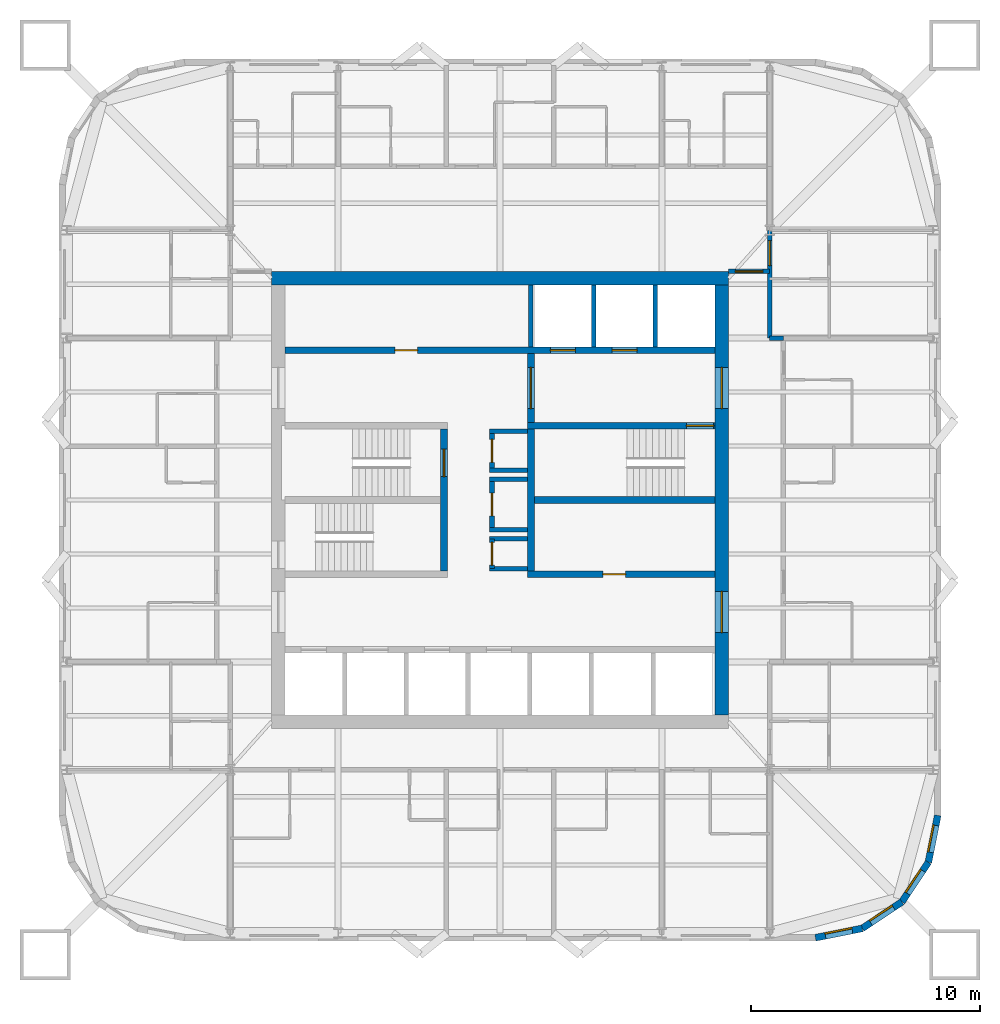
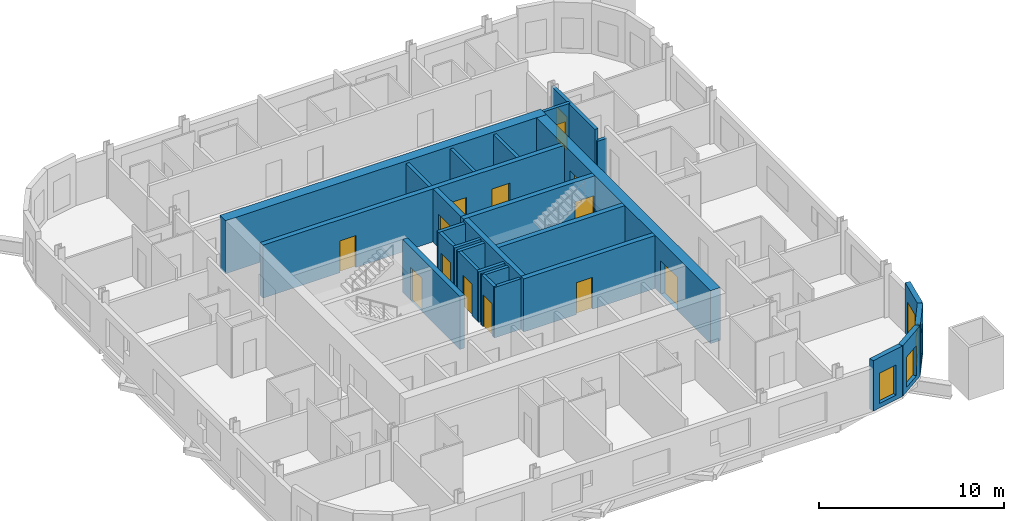
# One storey, part 5 of 9: 27 walls, 14 doors, 4 windows, 18 openings.
"""IFC4 building model written with IfcOpenShell, lengths in metres."""

from ifc_helpers import new_model, si_unit, direction, frame, frame_2d, origin, place, context, subcontext, project, spatial, rectangle, extrude, material, layer, layer_set, type_object, element, fill, save


model = new_model("IFC4")

# Units and contexts
model_context = context("Model", 3, precision=1e-05, world=origin(), true_north=direction((0.0, 1.0)))
body_context = subcontext(model_context, "Body", "Model", "MODEL_VIEW")
ifc_project = project(units=[si_unit("LENGTHUNIT", "METRE"), si_unit("AREAUNIT", "SQUARE_METRE"), si_unit("VOLUMEUNIT", "CUBIC_METRE"), si_unit("PLANEANGLEUNIT", "RADIAN"), si_unit("MASSUNIT", "GRAM", prefix="KILO")], contexts=[model_context])

# Site, building, storey
site_placement = place(None, origin())
site = spatial("IfcSite", under=ifc_project, at=site_placement, CompositionType="ELEMENT")
building_placement = place(site_placement, origin())
building = spatial("IfcBuilding", under=site, at=building_placement, Name="Turquesa Mirador Hotel Tower", CompositionType="ELEMENT")
storey_placement = place(building_placement, frame((0.0, 0.0, 186.300048828125)))
storey = spatial("IfcBuildingStorey", under=building, at=storey_placement, Name="L50", CompositionType="ELEMENT", Elevation=186.300048828125)

# Wall, openings, doors
ifc_material_1 = material(Name="Concrete C50/60", Category="concrete")
ifc_layer_1 = layer(ifc_material_1, 0.300048828125)
ifc_layer_set_1 = layer_set([ifc_layer_1], Name="CORE INNER WALL 300")
wall_type_1 = type_object("IfcWallType", Name="CORE INNER WALL 300", PredefinedType="SHEAR", material=ifc_layer_set_1)
wall_1_placement = place(storey_placement, frame((45.60009765625, 51.550048828125, 0.0), z_axis=(0.0, 0.0, 1.0), x_axis=(1.0, 0.0, 0.0)))
wall_1 = element("IfcWall", 1, at=wall_1_placement, inside=storey, type_object=wall_type_1, Name="Core wall NL", PredefinedType="SHEAR", context=body_context, shape_type="SweptSolid", body=[
    extrude(rectangle(XDim=18.7998046875, YDim=0.300048828125, at=frame_2d((9.39990234375, 0.0))), origin(), (0.0, 0.0, 1.0), 3.5),
])
opening_1_placement = place(wall_1_placement, frame((4.800048828125, 0.0, 0.0)))
opening_1 = element("IfcOpeningElement", 2, at=opening_1_placement, cuts=wall_1, Name="Opening D05", PredefinedType="OPENING", context=body_context, shape_type="SweptSolid", body=[
    extrude(rectangle(XDim=1.0, YDim=2.10009765625, at=frame_2d((0.5, 1.050048828125))), frame((0.0, 0.159912109375, 0.0), z_axis=(0.0, -1.0, 0.0), x_axis=(1.0, 0.0, 0.0)), (0.0, 0.0, 1.0), 0.320068359375),
])
opening_2_placement = place(wall_1_placement, frame((11.60009765625, 0.0, 0.0)))
opening_2 = element("IfcOpeningElement", 3, at=opening_2_placement, cuts=wall_1, Name="Opening LD", PredefinedType="OPENING", context=body_context, shape_type="SweptSolid", body=[
    extrude(rectangle(XDim=1.10009765625, YDim=2.199951171875, at=frame_2d((0.550048828125, 1.10009765625))), frame((0.0, 0.159912109375, 0.0), z_axis=(0.0, -1.0, 0.0), x_axis=(1.0, 0.0, 0.0)), (0.0, 0.0, 1.0), 0.320068359375),
])
opening_3_placement = place(wall_1_placement, frame((14.300048828125, 0.0, 0.0)))
opening_3 = element("IfcOpeningElement", 4, at=opening_3_placement, cuts=wall_1, Name="Opening LD", PredefinedType="OPENING", context=body_context, shape_type="SweptSolid", body=[
    extrude(rectangle(XDim=1.10009765625, YDim=2.199951171875, at=frame_2d((0.550048828125, 1.10009765625))), frame((0.0, 0.159912109375, 0.0), z_axis=(0.0, -1.0, 0.0), x_axis=(1.0, 0.0, 0.0)), (0.0, 0.0, 1.0), 0.320068359375),
])
ifc_material_2 = material(Name="Steel fire door", Category="steel")
door_type_1 = type_object("IfcDoorType", Name="DOOR 1000X2100 SERVICE", OperationType="SINGLE_SWING_LEFT", PredefinedType="DOOR", material=ifc_material_2)
door_1_placement = place(opening_1_placement, origin())
door_1 = element("IfcDoor", 5, at=door_1_placement, inside=storey, type_object=door_type_1, Name="Linen store door", OperationType="SINGLE_SWING_LEFT", OverallHeight=2.10009765625, OverallWidth=1.0, PredefinedType="DOOR", context=body_context, shape_type="SweptSolid", body=[
    extrude(rectangle(XDim=1.0, YDim=2.10009765625, at=frame_2d((0.5, 1.050048828125))), frame((0.0, 0.02490234375, 0.0), z_axis=(0.0, -1.0, 0.0), x_axis=(1.0, 0.0, 0.0)), (0.0, 0.0, 1.0), 0.050048828125),
])
fill(opening_1, door_1)
ifc_material_3 = material(Name="Stainless steel lift landing door", Category="steel")
door_type_2 = type_object("IfcDoorType", Name="LIFT LANDING DOOR 1100X2200", OperationType="SLIDING_TO_LEFT", PredefinedType="DOOR", material=ifc_material_3)
door_2_placement = place(opening_2_placement, origin())
door_2 = element("IfcDoor", 6, at=door_2_placement, inside=storey, type_object=door_type_2, Name="Lift S1 landing door", OperationType="SLIDING_TO_LEFT", OverallHeight=2.199951171875, OverallWidth=1.10009765625, PredefinedType="DOOR", context=body_context, shape_type="SweptSolid", body=[
    extrude(rectangle(XDim=1.10009765625, YDim=2.199951171875, at=frame_2d((0.550048828125, 1.10009765625))), frame((0.0, 0.02490234375, 0.0), z_axis=(0.0, -1.0, 0.0), x_axis=(1.0, 0.0, 0.0)), (0.0, 0.0, 1.0), 0.050048828125),
])
fill(opening_2, door_2)
door_3_placement = place(opening_3_placement, origin())
door_3 = element("IfcDoor", 7, at=door_3_placement, inside=storey, type_object=door_type_2, Name="Lift S2 landing door", OperationType="SLIDING_TO_LEFT", OverallHeight=2.199951171875, OverallWidth=1.10009765625, PredefinedType="DOOR", context=body_context, shape_type="SweptSolid", body=[
    extrude(rectangle(XDim=1.10009765625, YDim=2.199951171875, at=frame_2d((0.550048828125, 1.10009765625))), frame((0.0, 0.02490234375, 0.0), z_axis=(0.0, -1.0, 0.0), x_axis=(1.0, 0.0, 0.0)), (0.0, 0.0, 1.0), 0.050048828125),
])
fill(opening_3, door_3)

# Wall, opening, door
wall_2_placement = place(storey_placement, frame((56.199951171875, 48.25, 0.0), z_axis=(0.0, 0.0, 1.0), x_axis=(1.0, 0.0, 0.0)))
wall_2 = element("IfcWall", 8, at=wall_2_placement, inside=storey, type_object=wall_type_1, Name="Core wall MN-E", PredefinedType="SHEAR", context=body_context, shape_type="SweptSolid", body=[
    extrude(rectangle(XDim=8.199951171875, YDim=0.300048828125, at=frame_2d((4.10009765625, 0.0))), origin(), (0.0, 0.0, 1.0), 3.5),
])
opening_4_placement = place(wall_2_placement, frame((6.949951171875, 0.0, 0.0)))
opening_4 = element("IfcOpeningElement", 9, at=opening_4_placement, cuts=wall_2, Name="Opening D03", PredefinedType="OPENING", context=body_context, shape_type="SweptSolid", body=[
    extrude(rectangle(XDim=1.199951171875, YDim=2.199951171875, at=frame_2d((0.60009765625, 1.10009765625))), frame((0.0, 0.159912109375, 0.0), z_axis=(0.0, -1.0, 0.0), x_axis=(1.0, 0.0, 0.0)), (0.0, 0.0, 1.0), 0.320068359375),
])
ifc_material_4 = material(Name="Steel fire door", Category="steel")
door_type_3 = type_object("IfcDoorType", Name="DOOR 1200X2200 STAIR", OperationType="SINGLE_SWING_LEFT", PredefinedType="DOOR", material=ifc_material_4)
door_4_placement = place(opening_4_placement, origin())
door_4 = element("IfcDoor", 10, at=door_4_placement, inside=storey, type_object=door_type_3, Name="Stair ST3 door", OperationType="SINGLE_SWING_LEFT", OverallHeight=2.199951171875, OverallWidth=1.199951171875, PredefinedType="DOOR", context=body_context, shape_type="SweptSolid", body=[
    extrude(rectangle(XDim=1.199951171875, YDim=2.199951171875, at=frame_2d((0.60009765625, 1.10009765625))), frame((0.0, 0.02490234375, 0.0), z_axis=(0.0, -1.0, 0.0), x_axis=(1.0, 0.0, 0.0)), (0.0, 0.0, 1.0), 0.050048828125),
])
fill(opening_4, door_4)

wall_3_placement = place(storey_placement, frame((56.199951171875, 41.75, 0.0), z_axis=(0.0, 0.0, 1.0), x_axis=(1.0, 0.0, 0.0)))
wall_3 = element("IfcWall", 11, at=wall_3_placement, inside=storey, type_object=wall_type_1, Name="Core wall MS-E", PredefinedType="SHEAR", context=body_context, shape_type="SweptSolid", body=[
    extrude(rectangle(XDim=8.199951171875, YDim=0.300048828125, at=frame_2d((4.10009765625, 0.0))), origin(), (0.0, 0.0, 1.0), 3.5),
])
opening_5_placement = place(wall_3_placement, frame((3.300048828125, 0.0, 0.0)))
opening_5 = element("IfcOpeningElement", 12, at=opening_5_placement, cuts=wall_3, Name="Opening D05", PredefinedType="OPENING", context=body_context, shape_type="SweptSolid", body=[
    extrude(rectangle(XDim=1.0, YDim=2.10009765625, at=frame_2d((0.5, 1.050048828125))), frame((0.0, 0.159912109375, 0.0), z_axis=(0.0, -1.0, 0.0), x_axis=(1.0, 0.0, 0.0)), (0.0, 0.0, 1.0), 0.320068359375),
])
door_5_placement = place(opening_5_placement, origin())
door_5 = element("IfcDoor", 13, at=door_5_placement, inside=storey, type_object=door_type_1, Name="Housekeeping room door", OperationType="SINGLE_SWING_LEFT", OverallHeight=2.10009765625, OverallWidth=1.0, PredefinedType="DOOR", context=body_context, shape_type="SweptSolid", body=[
    extrude(rectangle(XDim=1.0, YDim=2.10009765625, at=frame_2d((0.5, 1.050048828125))), frame((0.0, 0.02490234375, 0.0), z_axis=(0.0, -1.0, 0.0), x_axis=(1.0, 0.0, 0.0)), (0.0, 0.0, 1.0), 0.050048828125),
])
fill(opening_5, door_5)

wall_4_placement = place(storey_placement, frame((52.550048828125, 41.89990234375, 0.0), z_axis=(0.0, 0.0, 1.0), x_axis=(0.0, 1.0, 0.0)))
wall_4 = element("IfcWall", 14, at=wall_4_placement, inside=storey, type_object=wall_type_1, Name="Core wall PW", PredefinedType="SHEAR", context=body_context, shape_type="SweptSolid", body=[
    extrude(rectangle(XDim=6.2001953125, YDim=0.300048828125, at=frame_2d((3.10009765625, 0.0))), origin(), (0.0, 0.0, 1.0), 3.5),
])
opening_6_placement = place(wall_4_placement, frame((4.125, 0.0, 0.0)))
opening_6 = element("IfcOpeningElement", 15, at=opening_6_placement, cuts=wall_4, Name="Opening D03", PredefinedType="OPENING", context=body_context, shape_type="SweptSolid", body=[
    extrude(rectangle(XDim=1.199951171875, YDim=2.199951171875, at=frame_2d((0.60009765625, 1.10009765625))), frame((0.0, 0.159912109375, 0.0), z_axis=(0.0, -1.0, 0.0), x_axis=(1.0, 0.0, 0.0)), (0.0, 0.0, 1.0), 0.320068359375),
])
door_6_placement = place(opening_6_placement, origin())
door_6 = element("IfcDoor", 16, at=door_6_placement, inside=storey, type_object=door_type_3, Name="Stair ST1 door", OperationType="SINGLE_SWING_LEFT", OverallHeight=2.199951171875, OverallWidth=1.199951171875, PredefinedType="DOOR", context=body_context, shape_type="SweptSolid", body=[
    extrude(rectangle(XDim=1.199951171875, YDim=2.199951171875, at=frame_2d((0.60009765625, 1.10009765625))), frame((0.0, 0.02490234375, 0.0), z_axis=(0.0, -1.0, 0.0), x_axis=(1.0, 0.0, 0.0)), (0.0, 0.0, 1.0), 0.050048828125),
])
fill(opening_6, door_6)

wall_5_placement = place(storey_placement, frame((56.35009765625, 41.89990234375, 0.0), z_axis=(0.0, 0.0, 1.0), x_axis=(0.0, 1.0, 0.0)))
wall_5 = element("IfcWall", 17, at=wall_5_placement, inside=storey, type_object=wall_type_1, Name="Core wall PE", PredefinedType="SHEAR", context=body_context, shape_type="SweptSolid", body=[
    extrude(rectangle(XDim=9.5, YDim=0.300048828125, at=frame_2d((4.75, 0.0))), origin(), (0.0, 0.0, 1.0), 3.5),
])
opening_7_placement = place(wall_5_placement, frame((7.10009765625, 0.0, 0.0)))
opening_7 = element("IfcOpeningElement", 18, at=opening_7_placement, cuts=wall_5, Name="Opening D04", PredefinedType="OPENING", context=body_context, shape_type="SweptSolid", body=[
    extrude(rectangle(XDim=1.800048828125, YDim=2.199951171875, at=frame_2d((0.89990234375, 1.10009765625))), frame((0.0, 0.159912109375, 0.0), z_axis=(0.0, -1.0, 0.0), x_axis=(1.0, 0.0, 0.0)), (0.0, 0.0, 1.0), 0.320068359375),
])
ifc_material_5 = material(Name="Steel fire door pair", Category="steel")
door_type_4 = type_object("IfcDoorType", Name="DOOR 1800X2200 PAIR", OperationType="DOUBLE_DOOR_SINGLE_SWING", PredefinedType="DOOR", material=ifc_material_5)
door_7_placement = place(opening_7_placement, origin())
door_7 = element("IfcDoor", 19, at=door_7_placement, inside=storey, type_object=door_type_4, Name="Firefighting lobby inner door", OperationType="DOUBLE_DOOR_SINGLE_SWING", OverallHeight=2.199951171875, OverallWidth=1.800048828125, PredefinedType="DOOR", context=body_context, shape_type="SweptSolid", body=[
    extrude(rectangle(XDim=1.800048828125, YDim=2.199951171875, at=frame_2d((0.89990234375, 1.10009765625))), frame((0.0, 0.02490234375, 0.0), z_axis=(0.0, -1.0, 0.0), x_axis=(1.0, 0.0, 0.0)), (0.0, 0.0, 1.0), 0.050048828125),
])
fill(opening_7, door_7)

# Walls
wall_6_placement = place(storey_placement, frame((56.5, 45.0, 0.0), z_axis=(0.0, 0.0, 1.0), x_axis=(1.0, 0.0, 0.0)))
element("IfcWall", 20, at=wall_6_placement, inside=storey, type_object=wall_type_1, Name="Core wall M0-E", PredefinedType="SHEAR", context=body_context, shape_type="SweptSolid", body=[
    extrude(rectangle(XDim=7.89990234375, YDim=0.300048828125, at=frame_2d((3.949951171875, 0.0))), origin(), (0.0, 0.0, 1.0), 3.5),
])
ifc_material_6 = material(Name="Concrete C50/60", Category="concrete")
ifc_layer_2 = layer(ifc_material_6, 0.60009765625)
ifc_layer_set_2 = layer_set([ifc_layer_2], Name="CORE WALL 600")
wall_type_2 = type_object("IfcWallType", Name="CORE WALL 600", PredefinedType="SHEAR", material=ifc_layer_set_2)
wall_7_placement = place(storey_placement, frame((45.0, 54.699951171875, 0.0), z_axis=(0.0, 0.0, 1.0), x_axis=(1.0, 0.0, 0.0)))
element("IfcWall", 21, at=wall_7_placement, inside=storey, type_object=wall_type_2, Name="Core wall N", PredefinedType="SHEAR", context=body_context, shape_type="SweptSolid", body=[
    extrude(rectangle(XDim=20.0, YDim=0.60009765625, at=frame_2d((10.0, 0.0))), origin(), (0.0, 0.0, 1.0), 3.5),
])

# Wall, openings, doors
wall_8_placement = place(storey_placement, frame((64.699951171875, 35.60009765625, 0.0), z_axis=(0.0, 0.0, 1.0), x_axis=(0.0, 1.0, 0.0)))
wall_8 = element("IfcWall", 22, at=wall_8_placement, inside=storey, type_object=wall_type_2, Name="Core wall E", PredefinedType="SHEAR", context=body_context, shape_type="SweptSolid", body=[
    extrude(rectangle(XDim=18.7998046875, YDim=0.60009765625, at=frame_2d((9.39990234375, 0.0))), origin(), (0.0, 0.0, 1.0), 3.5),
])
opening_8_placement = place(wall_8_placement, frame((13.39990234375, 0.0, 0.0)))
opening_8 = element("IfcOpeningElement", 23, at=opening_8_placement, cuts=wall_8, Name="Opening D04", PredefinedType="OPENING", context=body_context, shape_type="SweptSolid", body=[
    extrude(rectangle(XDim=1.800048828125, YDim=2.199951171875, at=frame_2d((0.89990234375, 1.10009765625))), frame((0.0, 0.31005859375, 0.0), z_axis=(0.0, -1.0, 0.0), x_axis=(1.0, 0.0, 0.0)), (0.0, 0.0, 1.0), 0.6201171875),
])
opening_9_placement = place(wall_8_placement, frame((3.60009765625, 0.0, 0.0)))
opening_9 = element("IfcOpeningElement", 24, at=opening_9_placement, cuts=wall_8, Name="Opening D04", PredefinedType="OPENING", context=body_context, shape_type="SweptSolid", body=[
    extrude(rectangle(XDim=1.800048828125, YDim=2.199951171875, at=frame_2d((0.89990234375, 1.10009765625))), frame((0.0, 0.31005859375, 0.0), z_axis=(0.0, -1.0, 0.0), x_axis=(1.0, 0.0, 0.0)), (0.0, 0.0, 1.0), 0.6201171875),
])
door_8_placement = place(opening_8_placement, origin())
door_8 = element("IfcDoor", 25, at=door_8_placement, inside=storey, type_object=door_type_4, Name="Firefighting lobby door", OperationType="DOUBLE_DOOR_SINGLE_SWING", OverallHeight=2.199951171875, OverallWidth=1.800048828125, PredefinedType="DOOR", context=body_context, shape_type="SweptSolid", body=[
    extrude(rectangle(XDim=1.800048828125, YDim=2.199951171875, at=frame_2d((0.89990234375, 1.10009765625))), frame((0.0, 0.02490234375, 0.0), z_axis=(0.0, -1.0, 0.0), x_axis=(1.0, 0.0, 0.0)), (0.0, 0.0, 1.0), 0.050048828125),
])
fill(opening_8, door_8)
door_9_placement = place(opening_9_placement, origin())
door_9 = element("IfcDoor", 26, at=door_9_placement, inside=storey, type_object=door_type_4, Name="South lift lobby door", OperationType="DOUBLE_DOOR_SINGLE_SWING", OverallHeight=2.199951171875, OverallWidth=1.800048828125, PredefinedType="DOOR", context=body_context, shape_type="SweptSolid", body=[
    extrude(rectangle(XDim=1.800048828125, YDim=2.199951171875, at=frame_2d((0.89990234375, 1.10009765625))), frame((0.0, 0.02490234375, 0.0), z_axis=(0.0, -1.0, 0.0), x_axis=(1.0, 0.0, 0.0)), (0.0, 0.0, 1.0), 0.050048828125),
])
fill(opening_9, door_9)

# Wall, opening, door
ifc_material_7 = material(Name="Fire-rated gypsum board on steel studs", Category="steel")
ifc_layer_3 = layer(ifc_material_7, 0.199951171875)
ifc_layer_set_3 = layer_set([ifc_layer_3], Name="CORRIDOR WALL 200")
wall_type_3 = type_object("IfcWallType", Name="CORRIDOR WALL 200", PredefinedType="PARTITIONING", material=ifc_layer_set_3)
wall_9_placement = place(storey_placement, frame((65.0, 55.0, 0.0), z_axis=(0.0, 0.0, 1.0), x_axis=(1.0, 0.0, 0.0)))
wall_9 = element("IfcWall", 27, at=wall_9_placement, inside=storey, type_object=wall_type_3, Name="Partition L50 020", PredefinedType="PARTITIONING", context=body_context, shape_type="SweptSolid", body=[
    extrude(rectangle(XDim=1.800048828125, YDim=0.199951171875, at=frame_2d((0.89990234375, 0.0))), origin(), (0.0, 0.0, 1.0), 3.329833984375),
])
opening_10_placement = place(wall_9_placement, frame((0.300048828125, 0.0, 0.0)))
opening_10 = element("IfcOpeningElement", 28, at=opening_10_placement, cuts=wall_9, Name="Opening D19", PredefinedType="OPENING", context=body_context, shape_type="SweptSolid", body=[
    extrude(rectangle(XDim=1.199951171875, YDim=2.199951171875, at=frame_2d((0.60009765625, 1.10009765625))), frame((0.0, 0.10986328125, 0.0), z_axis=(0.0, -1.0, 0.0), x_axis=(1.0, 0.0, 0.0)), (0.0, 0.0, 1.0), 0.219970703125),
])
ifc_material_8 = material(Name="Steel glazed fire door", Category="steel")
door_type_5 = type_object("IfcDoorType", Name="DOOR 1200X2200 FIRE DOOR GLAZED", OperationType="SINGLE_SWING_LEFT", PredefinedType="DOOR", material=ifc_material_8)
door_10_placement = place(opening_10_placement, origin())
door_10 = element("IfcDoor", 29, at=door_10_placement, inside=storey, type_object=door_type_5, Name="Door L50-C03-1", OperationType="SINGLE_SWING_LEFT", OverallHeight=2.199951171875, OverallWidth=1.199951171875, PredefinedType="DOOR", context=body_context, shape_type="SweptSolid", body=[
    extrude(rectangle(XDim=1.199951171875, YDim=2.199951171875, at=frame_2d((0.60009765625, 1.10009765625))), frame((0.0, 0.02490234375, 0.0), z_axis=(0.0, -1.0, 0.0), x_axis=(1.0, 0.0, 0.0)), (0.0, 0.0, 1.0), 0.050048828125),
])
fill(opening_10, door_10)

# Wall
wall_10_placement = place(storey_placement, frame((66.800048828125, 52.080078125, 0.0), z_axis=(0.0, 0.0, 1.0), x_axis=(1.0, 0.0, 0.0)))
element("IfcWall", 30, at=wall_10_placement, inside=storey, type_object=wall_type_3, Name="Partition L50 036", PredefinedType="PARTITIONING", context=body_context, shape_type="SweptSolid", body=[
    extrude(rectangle(XDim=0.599853515625, YDim=0.199951171875, at=frame_2d((0.2998046875, 0.0))), origin(), (0.0, 0.0, 1.0), 2.572998046875),
])

# Wall, opening, door
wall_11_placement = place(storey_placement, frame((66.800048828125, 52.080078125, 0.0), z_axis=(0.0, 0.0, 1.0), x_axis=(0.0, 1.0, 0.0)))
wall_11 = element("IfcWall", 31, at=wall_11_placement, inside=storey, type_object=wall_type_3, Name="Partition L50 064", PredefinedType="PARTITIONING", context=body_context, shape_type="SweptSolid", body=[
    extrude(rectangle(XDim=4.699951171875, YDim=0.199951171875, at=frame_2d((2.35009765625, 0.0))), origin(), (0.0, 0.0, 1.0), 3.329833984375),
])
opening_11_placement = place(wall_11_placement, frame((3.169921875, 0.0, 0.0)))
opening_11 = element("IfcOpeningElement", 32, at=opening_11_placement, cuts=wall_11, Name="Opening D15", PredefinedType="OPENING", context=body_context, shape_type="SweptSolid", body=[
    extrude(rectangle(XDim=1.10009765625, YDim=2.199951171875, at=frame_2d((0.550048828125, 1.10009765625))), frame((0.0, 0.10986328125, 0.0), z_axis=(0.0, -1.0, 0.0), x_axis=(1.0, 0.0, 0.0)), (0.0, 0.0, 1.0), 0.219970703125),
])
ifc_material_9 = material(Name="Timber veneered fire door", Category="wood")
door_type_6 = type_object("IfcDoorType", Name="DOOR 1100X2200 SUITE ENTRY", OperationType="SINGLE_SWING_LEFT", PredefinedType="DOOR", material=ifc_material_9)
door_11_placement = place(opening_11_placement, origin())
door_11 = element("IfcDoor", 33, at=door_11_placement, inside=storey, type_object=door_type_6, Name="Door 5014H", OperationType="SINGLE_SWING_LEFT", OverallHeight=2.199951171875, OverallWidth=1.10009765625, PredefinedType="DOOR", context=body_context, shape_type="SweptSolid", body=[
    extrude(rectangle(XDim=1.10009765625, YDim=2.199951171875, at=frame_2d((0.550048828125, 1.10009765625))), frame((0.0, 0.02490234375, 0.0), z_axis=(0.0, -1.0, 0.0), x_axis=(1.0, 0.0, 0.0)), (0.0, 0.0, 1.0), 0.050048828125),
])
fill(opening_11, door_11)

# Wall, opening, window
ifc_material_10 = material(Name="Limestone cladding on concrete block", Category="masonry")
ifc_layer_4 = layer(ifc_material_10, 0.300048828125)
ifc_layer_set_4 = layer_set([ifc_layer_4], Name="FACADE WALL 300 STONE SCREEN")
wall_type_4 = type_object("IfcWallType", Name="FACADE WALL 300 STONE SCREEN", PredefinedType="SOLIDWALL", material=ifc_layer_set_4)
wall_12_placement = place(storey_placement, frame((68.800048828125, 25.85009765625, 0.0), z_axis=(0.0, 0.0, 1.0), x_axis=(0.980787050784, 0.195081421501, 0.0)))
wall_12 = element("IfcWall", 34, at=wall_12_placement, inside=storey, type_object=wall_type_4, Name="Facade wall L50 00", PredefinedType="SOLIDWALL", context=body_context, shape_type="SweptSolid", body=[
    extrude(rectangle(XDim=2.08740234375, YDim=0.300048828125, at=frame_2d((1.043701171875, 0.0))), origin(), (0.0, 0.0, 1.0), 3.329833984375),
])
opening_12_placement = place(wall_12_placement, frame((0.443603515625, 0.0, 0.300048828125)))
opening_12 = element("IfcOpeningElement", 35, at=opening_12_placement, cuts=wall_12, Name="Opening WN4", PredefinedType="OPENING", context=body_context, shape_type="SweptSolid", body=[
    extrude(rectangle(XDim=1.199951171875, YDim=2.0, at=frame_2d((0.60009765625, 1.0))), frame((0.0, 0.159912109375, 0.0), z_axis=(0.0, -1.0, 0.0), x_axis=(1.0, 0.0, 0.0)), (0.0, 0.0, 1.0), 0.320068359375),
])
ifc_material_11 = material(Name="Ceramic-fritted laminated glass", Category="glass")
window_type = type_object("IfcWindowType", Name="FRITTED CORNER WINDOW 1200X2000", PartitioningType="DOUBLE_PANEL_HORIZONTAL", PredefinedType="WINDOW", material=ifc_material_11)
window_1_placement = place(opening_12_placement, origin())
window_1 = element("IfcWindow", 36, at=window_1_placement, inside=storey, type_object=window_type, Name="Window L50", OverallHeight=2.0, OverallWidth=1.199951171875, PartitioningType="SINGLE_PANEL", PredefinedType="WINDOW", context=body_context, shape_type="SweptSolid", body=[
    extrude(rectangle(XDim=1.199951171875, YDim=2.0, at=frame_2d((0.60009765625, 1.0))), frame((0.0, 0.130126953125, 0.0), z_axis=(0.0, -1.0, 0.0), x_axis=(1.0, 0.0, 0.0)), (0.0, 0.0, 1.0), 0.06005859375),
])
fill(opening_12, window_1)

wall_13_placement = place(storey_placement, frame((70.847412109375, 26.25732421875, 0.0), z_axis=(0.0, 0.0, 1.0), x_axis=(0.831474039234, 0.555563607591, 0.0)))
wall_13 = element("IfcWall", 37, at=wall_13_placement, inside=storey, type_object=wall_type_4, Name="Facade wall L50 01", PredefinedType="SOLIDWALL", context=body_context, shape_type="SweptSolid", body=[
    extrude(rectangle(XDim=2.08740234375, YDim=0.300048828125, at=frame_2d((1.043701171875, 0.0))), origin(), (0.0, 0.0, 1.0), 3.329833984375),
])
opening_13_placement = place(wall_13_placement, frame((0.443603515625, 0.0, 0.300048828125)))
opening_13 = element("IfcOpeningElement", 38, at=opening_13_placement, cuts=wall_13, Name="Opening WN4", PredefinedType="OPENING", context=body_context, shape_type="SweptSolid", body=[
    extrude(rectangle(XDim=1.199951171875, YDim=2.0, at=frame_2d((0.60009765625, 1.0))), frame((0.0, 0.159912109375, 0.0), z_axis=(0.0, -1.0, 0.0), x_axis=(1.0, 0.0, 0.0)), (0.0, 0.0, 1.0), 0.320068359375),
])
window_2_placement = place(opening_13_placement, origin())
window_2 = element("IfcWindow", 39, at=window_2_placement, inside=storey, type_object=window_type, Name="Window L50", OverallHeight=2.0, OverallWidth=1.199951171875, PartitioningType="SINGLE_PANEL", PredefinedType="WINDOW", context=body_context, shape_type="SweptSolid", body=[
    extrude(rectangle(XDim=1.199951171875, YDim=2.0, at=frame_2d((0.60009765625, 1.0))), frame((0.0, 0.130126953125, 0.0), z_axis=(0.0, -1.0, 0.0), x_axis=(1.0, 0.0, 0.0)), (0.0, 0.0, 1.0), 0.06005859375),
])
fill(opening_13, window_2)

wall_14_placement = place(storey_placement, frame((72.5830078125, 27.4169921875, 0.0), z_axis=(0.0, 0.0, 1.0), x_axis=(0.555563607591, 0.831474039234, 0.0)))
wall_14 = element("IfcWall", 40, at=wall_14_placement, inside=storey, type_object=wall_type_4, Name="Facade wall L50 02", PredefinedType="SOLIDWALL", context=body_context, shape_type="SweptSolid", body=[
    extrude(rectangle(XDim=2.08740234375, YDim=0.300048828125, at=frame_2d((1.043701171875, 0.0))), origin(), (0.0, 0.0, 1.0), 3.329833984375),
])
opening_14_placement = place(wall_14_placement, frame((0.443603515625, 0.0, 0.300048828125)))
opening_14 = element("IfcOpeningElement", 41, at=opening_14_placement, cuts=wall_14, Name="Opening WN4", PredefinedType="OPENING", context=body_context, shape_type="SweptSolid", body=[
    extrude(rectangle(XDim=1.199951171875, YDim=2.0, at=frame_2d((0.60009765625, 1.0))), frame((0.0, 0.159912109375, 0.0), z_axis=(0.0, -1.0, 0.0), x_axis=(1.0, 0.0, 0.0)), (0.0, 0.0, 1.0), 0.320068359375),
])
window_3_placement = place(opening_14_placement, origin())
window_3 = element("IfcWindow", 42, at=window_3_placement, inside=storey, type_object=window_type, Name="Window L50", OverallHeight=2.0, OverallWidth=1.199951171875, PartitioningType="SINGLE_PANEL", PredefinedType="WINDOW", context=body_context, shape_type="SweptSolid", body=[
    extrude(rectangle(XDim=1.199951171875, YDim=2.0, at=frame_2d((0.60009765625, 1.0))), frame((0.0, 0.130126953125, 0.0), z_axis=(0.0, -1.0, 0.0), x_axis=(1.0, 0.0, 0.0)), (0.0, 0.0, 1.0), 0.06005859375),
])
fill(opening_14, window_3)

wall_15_placement = place(storey_placement, frame((73.74267578125, 29.152587890625, 0.0), z_axis=(0.0, 0.0, 1.0), x_axis=(0.195081421501, 0.980787050784, 0.0)))
wall_15 = element("IfcWall", 43, at=wall_15_placement, inside=storey, type_object=wall_type_4, Name="Facade wall L50 03", PredefinedType="SOLIDWALL", context=body_context, shape_type="SweptSolid", body=[
    extrude(rectangle(XDim=2.08740234375, YDim=0.300048828125, at=frame_2d((1.043701171875, 0.0))), origin(), (0.0, 0.0, 1.0), 3.329833984375),
])
opening_15_placement = place(wall_15_placement, frame((0.443603515625, 0.0, 0.300048828125)))
opening_15 = element("IfcOpeningElement", 44, at=opening_15_placement, cuts=wall_15, Name="Opening WN4", PredefinedType="OPENING", context=body_context, shape_type="SweptSolid", body=[
    extrude(rectangle(XDim=1.199951171875, YDim=2.0, at=frame_2d((0.60009765625, 1.0))), frame((0.0, 0.159912109375, 0.0), z_axis=(0.0, -1.0, 0.0), x_axis=(1.0, 0.0, 0.0)), (0.0, 0.0, 1.0), 0.320068359375),
])
window_4_placement = place(opening_15_placement, origin())
window_4 = element("IfcWindow", 45, at=window_4_placement, inside=storey, type_object=window_type, Name="Window L50", OverallHeight=2.0, OverallWidth=1.199951171875, PartitioningType="SINGLE_PANEL", PredefinedType="WINDOW", context=body_context, shape_type="SweptSolid", body=[
    extrude(rectangle(XDim=1.199951171875, YDim=2.0, at=frame_2d((0.60009765625, 1.0))), frame((0.0, 0.130126953125, 0.0), z_axis=(0.0, -1.0, 0.0), x_axis=(1.0, 0.0, 0.0)), (0.0, 0.0, 1.0), 0.06005859375),
])
fill(opening_15, window_4)

# Wall, opening, door
ifc_material_12 = material(Name="Fire-rated gypsum board on steel studs", Category="steel")
ifc_layer_5 = layer(ifc_material_12, 0.199951171875)
ifc_layer_set_5 = layer_set([ifc_layer_5], Name="FIRE PARTITION 200")
wall_type_5 = type_object("IfcWallType", Name="FIRE PARTITION 200", PredefinedType="PARTITIONING", material=ifc_layer_set_5)
wall_16_placement = place(storey_placement, frame((54.64990234375, 42.0, 0.0), z_axis=(0.0, 0.0, 1.0), x_axis=(0.0, 1.0, 0.0)))
wall_16 = element("IfcWall", 46, at=wall_16_placement, inside=storey, type_object=wall_type_5, Name="Partition L50 CM W", PredefinedType="PARTITIONING", context=body_context, shape_type="SweptSolid", body=[
    extrude(rectangle(XDim=1.300048828125, YDim=0.199951171875, at=frame_2d((0.64990234375, 0.0))), origin(), (0.0, 0.0, 1.0), 3.329833984375),
])
opening_16_placement = place(wall_16_placement, frame((0.14990234375, 0.0, 0.0)))
opening_16 = element("IfcOpeningElement", 47, at=opening_16_placement, cuts=wall_16, Name="Opening D05", PredefinedType="OPENING", context=body_context, shape_type="SweptSolid", body=[
    extrude(rectangle(XDim=1.0, YDim=2.10009765625, at=frame_2d((0.5, 1.050048828125))), frame((0.0, 0.10986328125, 0.0), z_axis=(0.0, -1.0, 0.0), x_axis=(1.0, 0.0, 0.0)), (0.0, 0.0, 1.0), 0.219970703125),
])
door_12_placement = place(opening_16_placement, origin())
door_12 = element("IfcDoor", 48, at=door_12_placement, inside=storey, type_object=door_type_1, Name="Comms room door", OperationType="SINGLE_SWING_LEFT", OverallHeight=2.10009765625, OverallWidth=1.0, PredefinedType="DOOR", context=body_context, shape_type="SweptSolid", body=[
    extrude(rectangle(XDim=1.0, YDim=2.10009765625, at=frame_2d((0.5, 1.050048828125))), frame((0.0, 0.02490234375, 0.0), z_axis=(0.0, -1.0, 0.0), x_axis=(1.0, 0.0, 0.0)), (0.0, 0.0, 1.0), 0.050048828125),
])
fill(opening_16, door_12)

# Walls
for number, where, z_axis, x_axis, name in (
    (49, (54.550048828125, 42.0, 0.0), (0.0, 0.0, 1.0), (1.0, 0.0, 0.0), "Partition L50 CM S"),
    (50, (54.550048828125, 43.300048828125, 0.0), (0.0, 0.0, 1.0), (1.0, 0.0, 0.0), "Partition L50 CM N"),
):
    element("IfcWall", number, at=place(storey_placement, frame(where, z_axis=z_axis, x_axis=x_axis)), inside=storey, type_object=wall_type_5, Name=name, PredefinedType="PARTITIONING", context=body_context, shape_type="SweptSolid", body=[
        extrude(rectangle(XDim=1.64990234375, YDim=0.199951171875, at=frame_2d((0.824951171875, 0.0))), origin(), (0.0, 0.0, 1.0), 3.329833984375),
    ])

# Wall, opening, door
wall_17_placement = place(storey_placement, frame((54.64990234375, 43.699951171875, 0.0), z_axis=(0.0, 0.0, 1.0), x_axis=(0.0, 1.0, 0.0)))
wall_17 = element("IfcWall", 51, at=wall_17_placement, inside=storey, type_object=wall_type_5, Name="Partition L50 VD W", PredefinedType="PARTITIONING", context=body_context, shape_type="SweptSolid", body=[
    extrude(rectangle(XDim=2.199951171875, YDim=0.199951171875, at=frame_2d((1.10009765625, 0.0))), origin(), (0.0, 0.0, 1.0), 3.329833984375),
])
opening_17_placement = place(wall_17_placement, frame((0.60009765625, 0.0, 0.0)))
opening_17 = element("IfcOpeningElement", 52, at=opening_17_placement, cuts=wall_17, Name="Opening D05", PredefinedType="OPENING", context=body_context, shape_type="SweptSolid", body=[
    extrude(rectangle(XDim=1.0, YDim=2.10009765625, at=frame_2d((0.5, 1.050048828125))), frame((0.0, 0.10986328125, 0.0), z_axis=(0.0, -1.0, 0.0), x_axis=(1.0, 0.0, 0.0)), (0.0, 0.0, 1.0), 0.219970703125),
])
door_13_placement = place(opening_17_placement, origin())
door_13 = element("IfcDoor", 53, at=door_13_placement, inside=storey, type_object=door_type_1, Name="Ice and vending room door", OperationType="SINGLE_SWING_LEFT", OverallHeight=2.10009765625, OverallWidth=1.0, PredefinedType="DOOR", context=body_context, shape_type="SweptSolid", body=[
    extrude(rectangle(XDim=1.0, YDim=2.10009765625, at=frame_2d((0.5, 1.050048828125))), frame((0.0, 0.02490234375, 0.0), z_axis=(0.0, -1.0, 0.0), x_axis=(1.0, 0.0, 0.0)), (0.0, 0.0, 1.0), 0.050048828125),
])
fill(opening_17, door_13)

# Walls
for number, where, z_axis, x_axis, name in (
    (54, (54.550048828125, 43.699951171875, 0.0), (0.0, 0.0, 1.0), (1.0, 0.0, 0.0), "Partition L50 VD S"),
    (55, (54.550048828125, 45.89990234375, 0.0), (0.0, 0.0, 1.0), (1.0, 0.0, 0.0), "Partition L50 VD N"),
):
    element("IfcWall", number, at=place(storey_placement, frame(where, z_axis=z_axis, x_axis=x_axis)), inside=storey, type_object=wall_type_5, Name=name, PredefinedType="PARTITIONING", context=body_context, shape_type="SweptSolid", body=[
        extrude(rectangle(XDim=1.64990234375, YDim=0.199951171875, at=frame_2d((0.824951171875, 0.0))), origin(), (0.0, 0.0, 1.0), 3.329833984375),
    ])

# Wall, opening, door
wall_18_placement = place(storey_placement, frame((54.64990234375, 46.300048828125, 0.0), z_axis=(0.0, 0.0, 1.0), x_axis=(0.0, 1.0, 0.0)))
wall_18 = element("IfcWall", 56, at=wall_18_placement, inside=storey, type_object=wall_type_5, Name="Partition L50 CL W", PredefinedType="PARTITIONING", context=body_context, shape_type="SweptSolid", body=[
    extrude(rectangle(XDim=1.699951171875, YDim=0.199951171875, at=frame_2d((0.85009765625, 0.0))), origin(), (0.0, 0.0, 1.0), 3.329833984375),
])
opening_18_placement = place(wall_18_placement, frame((0.35009765625, 0.0, 0.0)))
opening_18 = element("IfcOpeningElement", 57, at=opening_18_placement, cuts=wall_18, Name="Opening D05", PredefinedType="OPENING", context=body_context, shape_type="SweptSolid", body=[
    extrude(rectangle(XDim=1.0, YDim=2.10009765625, at=frame_2d((0.5, 1.050048828125))), frame((0.0, 0.10986328125, 0.0), z_axis=(0.0, -1.0, 0.0), x_axis=(1.0, 0.0, 0.0)), (0.0, 0.0, 1.0), 0.219970703125),
])
door_14_placement = place(opening_18_placement, origin())
door_14 = element("IfcDoor", 58, at=door_14_placement, inside=storey, type_object=door_type_1, Name="Cleaner's cupboard door", OperationType="SINGLE_SWING_LEFT", OverallHeight=2.10009765625, OverallWidth=1.0, PredefinedType="DOOR", context=body_context, shape_type="SweptSolid", body=[
    extrude(rectangle(XDim=1.0, YDim=2.10009765625, at=frame_2d((0.5, 1.050048828125))), frame((0.0, 0.02490234375, 0.0), z_axis=(0.0, -1.0, 0.0), x_axis=(1.0, 0.0, 0.0)), (0.0, 0.0, 1.0), 0.050048828125),
])
fill(opening_18, door_14)

# Walls
for number, where, z_axis, x_axis, name in (
    (59, (54.550048828125, 46.300048828125, 0.0), (0.0, 0.0, 1.0), (1.0, 0.0, 0.0), "Partition L50 CL S"),
    (60, (54.550048828125, 48.0, 0.0), (0.0, 0.0, 1.0), (1.0, 0.0, 0.0), "Partition L50 CL N"),
):
    element("IfcWall", number, at=place(storey_placement, frame(where, z_axis=z_axis, x_axis=x_axis)), inside=storey, type_object=wall_type_5, Name=name, PredefinedType="PARTITIONING", context=body_context, shape_type="SweptSolid", body=[
        extrude(rectangle(XDim=1.64990234375, YDim=0.199951171875, at=frame_2d((0.824951171875, 0.0))), origin(), (0.0, 0.0, 1.0), 3.329833984375),
    ])
ifc_material_13 = material(Name="Fire-rated gypsum shaft wall on steel studs", Category="steel")
ifc_layer_6 = layer(ifc_material_13, 0.199951171875)
ifc_layer_set_6 = layer_set([ifc_layer_6], Name="LIFT SHAFT DIVIDER 200")
wall_type_6 = type_object("IfcWallType", Name="LIFT SHAFT DIVIDER 200", PredefinedType="PARTITIONING", material=ifc_layer_set_6)
for number, where, z_axis, x_axis, name in (
    (61, (59.10009765625, 51.699951171875, 0.0), (0.0, 0.0, 1.0), (0.0, 1.0, 0.0), "Lift shaft divider"),
    (62, (61.800048828125, 51.699951171875, 0.0), (0.0, 0.0, 1.0), (0.0, 1.0, 0.0), "Lift shaft divider"),
    (63, (56.35009765625, 51.699951171875, 0.0), (0.0, 0.0, 1.0), (0.0, 1.0, 0.0), "Lift shaft divider"),
):
    element("IfcWall", number, at=place(storey_placement, frame(where, z_axis=z_axis, x_axis=x_axis)), inside=storey, type_object=wall_type_6, Name=name, PredefinedType="PARTITIONING", context=body_context, shape_type="SweptSolid", body=[
        extrude(rectangle(XDim=2.699951171875, YDim=0.199951171875, at=frame_2d((1.35009765625, 0.0))), origin(), (0.0, 0.0, 1.0), 3.329833984375),
    ])

save(model, "model.ifc")
